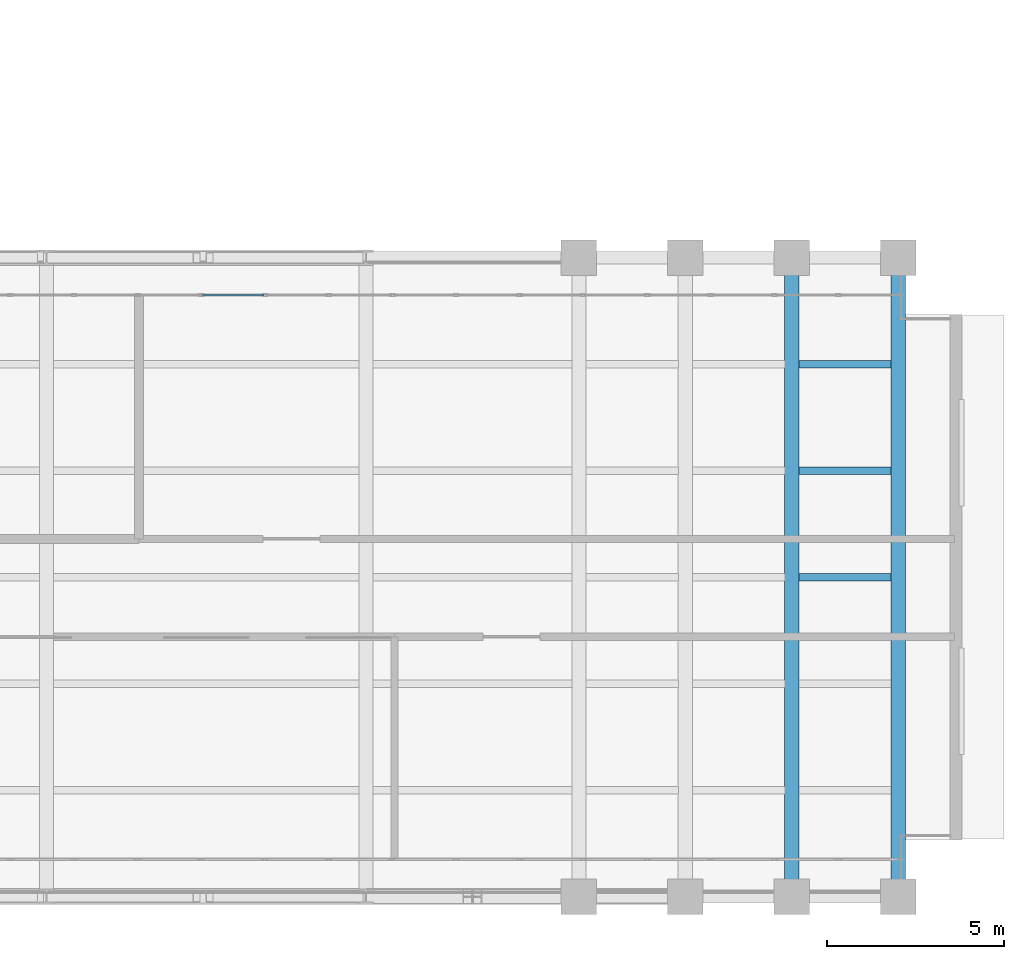
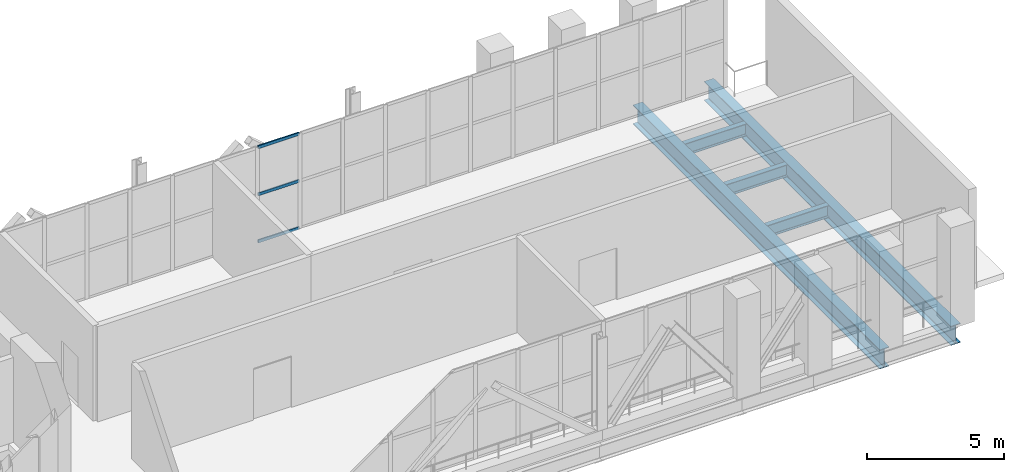
# One storey, part 16 of 27: 5 beams, 3 members, 1 element without a shape of its own.
"""IFC4 building model written with IfcOpenShell, lengths in metres."""

from ifc_helpers import new_model, si_unit, direction, frame, origin, origin_2d, place, context, subcontext, project, spatial, hollow_rectangle, i_section, extrude, material, layer, layer_set, material_profile, profile_set, type_object, element, aggregate, save


model = new_model("IFC4")

# Units and contexts
model_context = context("Model", 3, precision=1e-05, world=origin(), true_north=direction((0.0, 1.0)))
body_context = subcontext(model_context, "Body", "Model", "MODEL_VIEW")
ifc_project = project(units=[si_unit("LENGTHUNIT", "METRE"), si_unit("AREAUNIT", "SQUARE_METRE"), si_unit("VOLUMEUNIT", "CUBIC_METRE"), si_unit("PLANEANGLEUNIT", "RADIAN"), si_unit("MASSUNIT", "GRAM", prefix="KILO")], contexts=[model_context])

# Site, building, storey
site_placement = place(None, origin())
site = spatial("IfcSite", under=ifc_project, at=site_placement, CompositionType="ELEMENT")
building_placement = place(site_placement, origin())
building = spatial("IfcBuilding", under=site, at=building_placement, Name="Mawjdan Bourse Tower", CompositionType="ELEMENT")
storey_placement = place(building_placement, frame((0.0, 0.0, 155.699951171875)))
storey = spatial("IfcBuildingStorey", under=building, at=storey_placement, Name="L37", CompositionType="ELEMENT", Elevation=155.699951171875)

# Beams
ifc_material_1 = material(Name="Structural Steel S355", Category="steel")
ifc_material_profile_1 = material_profile(ifc_material_1, i_section(OverallWidth=0.39892578125, OverallDepth=0.85595703125, WebThickness=0.018310546875, FlangeThickness=0.029296875, FilletRadius=0.0234375, at=origin_2d()), Name="W33X201")
ifc_profile_set_1 = profile_set([ifc_material_profile_1], Name="Structural Steel S355")
beam_type_1 = type_object("IfcBeamType", Name="GRD-W33X201", PredefinedType="BEAM", material=ifc_profile_set_1)
for number, where, z_axis, x_axis, name in (
    (1, (54.0, 3.0, -0.7080078125), (0.0, 1.0, 0.0), (-1.0, 0.0, 0.0), "L37 East Wing Clear-Span Girder 006"),
    (2, (57.0, 3.0, -0.7080078125), (0.0, 1.0, 0.0), (-1.0, 0.0, 0.0), "L37 East Wing Clear-Span Girder 007"),
):
    element("IfcBeam", number, at=place(storey_placement, frame(where, z_axis=z_axis, x_axis=x_axis)), inside=storey, type_object=beam_type_1, Name=name, PredefinedType="BEAM", context=body_context, shape_type="SweptSolid", body=[
        extrude(i_section(OverallWidth=0.39892578125, OverallDepth=0.85595703125, WebThickness=0.018310546875, FlangeThickness=0.029296875, FilletRadius=0.0234375, at=origin_2d()), origin(), (0.0, 0.0, 1.0), 18.0),
    ])
ifc_material_profile_2 = material_profile(ifc_material_1, i_section(OverallWidth=0.2119140625, OverallDepth=0.5439453125, WebThickness=0.01318359375, FlangeThickness=0.021240234375, FilletRadius=0.01708984375, at=origin_2d()), Name="W21X83")
ifc_profile_set_2 = profile_set([ifc_material_profile_2], Name="Structural Steel S355")
beam_type_2 = type_object("IfcBeamType", Name="JST-W21X83", PredefinedType="JOIST", material=ifc_profile_set_2)
for number, where, z_axis, x_axis, name in (
    (3, (54.197509765625, 12.0, -0.552001953125), (1.0, 0.0, 0.0), (0.0, 1.0, 0.0), "L37 East Wing Composite Joist 037"),
    (4, (54.197509765625, 15.0, -0.552001953125), (1.0, 0.0, 0.0), (0.0, 1.0, 0.0), "L37 East Wing Composite Joist 043"),
    (5, (54.197509765625, 18.0, -0.552001953125), (1.0, 0.0, 0.0), (0.0, 1.0, 0.0), "L37 East Wing Composite Joist 049"),
):
    element("IfcBeam", number, at=place(storey_placement, frame(where, z_axis=z_axis, x_axis=x_axis)), inside=storey, type_object=beam_type_2, Name=name, PredefinedType="JOIST", context=body_context, shape_type="SweptSolid", body=[
        extrude(i_section(OverallWidth=0.2119140625, OverallDepth=0.5439453125, WebThickness=0.01318359375, FlangeThickness=0.021240234375, FilletRadius=0.01708984375, at=origin_2d()), origin(), (0.0, 0.0, 1.0), 2.60498046875),
    ])

# Curtain wall, members
ifc_material_2 = material(Name="Thermally Broken Aluminium and Solar Glass", Category="aluminium")
ifc_layer = layer(ifc_material_2, 0.219970703125)
ifc_layer_set = layer_set([ifc_layer], Name="Thermally Broken Aluminium and Solar Glass")
curtain_wall_type = type_object("IfcCurtainWallType", Name="CW-RFG", PredefinedType="USERDEFINED", material=ifc_layer_set)
curtain_wall_placement = place(storey_placement, origin())
curtain_wall = element("IfcCurtainWall", 6, at=curtain_wall_placement, inside=storey, type_object=curtain_wall_type, Name="L37 Refuge Band North Louvre Curtain Wall", ObjectType="REFUGE BAND LOUVRE SCREEN", PredefinedType="USERDEFINED")
ifc_material_3 = material(Name="Thermally Broken Anodised Aluminium", Category="aluminium")
ifc_material_profile_3 = material_profile(ifc_material_3, hollow_rectangle(XDim=0.054931640625, YDim=0.1298828125, WallThickness=0.00341796875, at=origin_2d()), Name="ALU-TRN-130X55")
ifc_profile_set_3 = profile_set([ifc_material_profile_3], Name="Thermally Broken Anodised Aluminium")
member_type = type_object("IfcMemberType", Name="TRN-ALU-TRN-130X55", PredefinedType="USERDEFINED", material=ifc_profile_set_3)
member_1_placement = place(storey_placement, frame((39.123046875, 19.949951171875, 0.027587890625), z_axis=(-1.0, 0.0, 0.0), x_axis=(0.0, -1.0, 0.0)))
member_1 = element("IfcMember", 7, at=member_1_placement, type_object=member_type, Name="CW-RFG-L37-RFG-N transom 11.1", ObjectType="TRANSOM", PredefinedType="USERDEFINED", context=body_context, shape_type="SweptSolid", body=[
    extrude(hollow_rectangle(XDim=0.054931640625, YDim=0.1298828125, WallThickness=0.00341796875, at=origin_2d()), origin(), (0.0, 0.0, 1.0), 1.7294921875),
])
member_2_placement = place(storey_placement, frame((39.123046875, 19.949951171875, 2.125), z_axis=(-1.0, 0.0, 0.0), x_axis=(0.0, -1.0, 0.0)))
member_2 = element("IfcMember", 8, at=member_2_placement, type_object=member_type, Name="CW-RFG-L37-RFG-N transom 11.2", ObjectType="TRANSOM", PredefinedType="USERDEFINED", context=body_context, shape_type="SweptSolid", body=[
    extrude(hollow_rectangle(XDim=0.054931640625, YDim=0.1298828125, WallThickness=0.00341796875, at=origin_2d()), origin(), (0.0, 0.0, 1.0), 1.7294921875),
])
member_3_placement = place(storey_placement, frame((39.123046875, 19.949951171875, 4.22265625), z_axis=(-1.0, 0.0, 0.0), x_axis=(0.0, -1.0, 0.0)))
member_3 = element("IfcMember", 9, at=member_3_placement, type_object=member_type, Name="CW-RFG-L37-RFG-N transom 11.3", ObjectType="TRANSOM", PredefinedType="USERDEFINED", context=body_context, shape_type="SweptSolid", body=[
    extrude(hollow_rectangle(XDim=0.054931640625, YDim=0.1298828125, WallThickness=0.00341796875, at=origin_2d()), origin(), (0.0, 0.0, 1.0), 1.7294921875),
])
aggregate(curtain_wall, [member_1, member_2, member_3])

save(model, "model.ifc")
